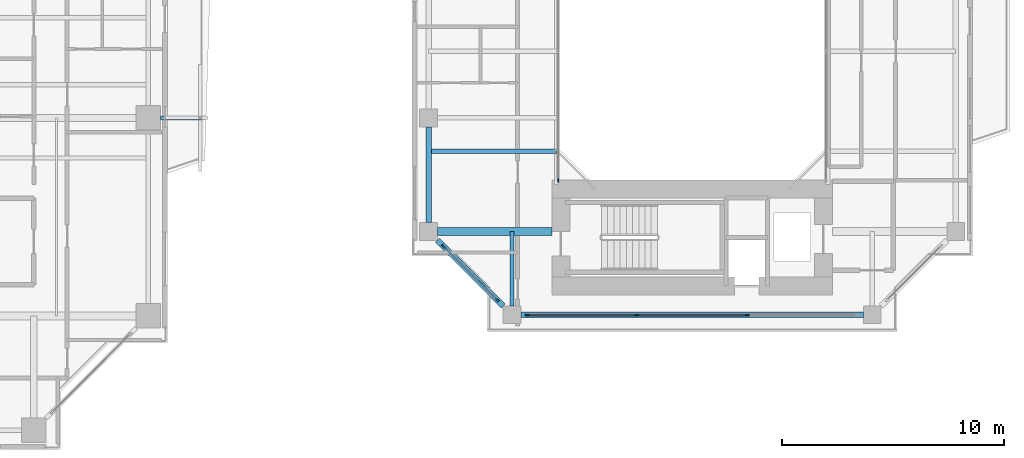
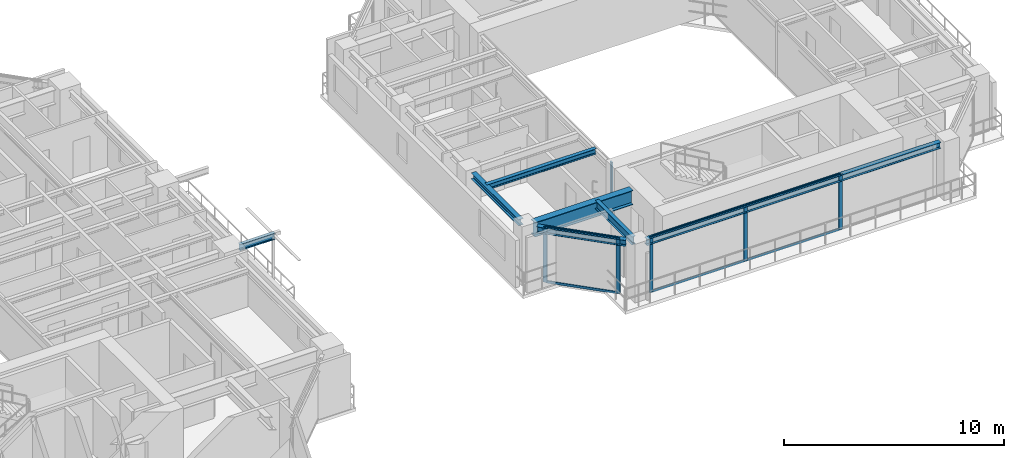
# One storey, part 6 of 23: 12 members, 7 beams, 3 elements without a shape of their own.
"""IFC4 building model written with IfcOpenShell, lengths in metres."""

from ifc_helpers import new_model, si_unit, direction, frame, origin, origin_2d, place, context, subcontext, project, spatial, rectangle, i_section, extrude, source, transform, mapped, material, layer, layer_set, material_profile, profile_set, type_object, element, aggregate, save


model = new_model("IFC4")

# Units and contexts
model_context = context("Model", 3, precision=1e-05, world=origin(), true_north=direction((0.0, 1.0)))
body_context = subcontext(model_context, "Body", "Model", "MODEL_VIEW")
ifc_project = project(units=[si_unit("LENGTHUNIT", "METRE"), si_unit("AREAUNIT", "SQUARE_METRE"), si_unit("VOLUMEUNIT", "CUBIC_METRE"), si_unit("PLANEANGLEUNIT", "RADIAN"), si_unit("MASSUNIT", "GRAM", prefix="KILO"), si_unit("THERMODYNAMICTEMPERATUREUNIT", "KELVIN"), si_unit("POWERUNIT", "WATT")], contexts=[model_context])

# Site, building, storey
site_placement = place(None, origin())
site = spatial("IfcSite", under=ifc_project, at=site_placement, CompositionType="ELEMENT")
building_placement = place(site_placement, origin())
building = spatial("IfcBuilding", under=site, at=building_placement, Name="Qiaomeng Ring Towers", CompositionType="ELEMENT")
storey_placement = place(building_placement, frame((0.0, 0.0, 103.5)))
storey = spatial("IfcBuildingStorey", under=building, at=storey_placement, Name="L29", CompositionType="ELEMENT", Elevation=103.5)

# Beams
ifc_material_1 = material(Name="Steel Q355B", Category="steel")
ifc_material_profile_1 = material_profile(ifc_material_1, i_section(OverallWidth=0.25, OverallDepth=0.340087890625, WebThickness=0.009033203125, FlangeThickness=0.013916015625, FilletRadius=0.02001953125, at=origin_2d()), Name="HM 340x250x9x14")
ifc_profile_set_1 = profile_set([ifc_material_profile_1], Name="Steel Q355B")
beam_type_1 = type_object("IfcBeamType", Name="STR-BM-HM340", PredefinedType="SPANDREL", material=ifc_profile_set_1)
shared_shape_1 = source(origin(), body_context, "Body", "SweptSolid", [
    extrude(i_section(OverallWidth=0.25, OverallDepth=0.340087890625, WebThickness=0.009033203125, FlangeThickness=0.013916015625, FilletRadius=0.02001953125, at=origin_2d()), origin(), (0.0, 0.0, 1.0), 15.40185546875),
])
beam_1_placement = place(storey_placement, frame((52.799072265625, 11.14990234375, 2.89990234375), z_axis=(1.0, 0.0, 0.0), x_axis=(0.0, 1.0, 0.0)))
element("IfcBeam", 1, at=beam_1_placement, inside=storey, type_object=beam_type_1, Name="L29 beam STR-SP-L29-T2-S1-S2", PredefinedType="SPANDREL", context=body_context, shape_type="MappedRepresentation", body=[
    mapped(shared_shape_1, transform((0.0, 0.0, 0.0), x_axis=(1.0, 0.0, 0.0), y_axis=(0.0, 1.0, 0.0), z_axis=(0.0, 0.0, 1.0), scale=1.0)),
])
shared_shape_2 = source(origin(), body_context, "Body", "SweptSolid", [
    extrude(i_section(OverallWidth=0.25, OverallDepth=0.340087890625, WebThickness=0.009033203125, FlangeThickness=0.013916015625, FilletRadius=0.02001953125, at=origin_2d()), origin(), (0.0, 0.0, 1.0), 4.173828125),
])
beam_2_placement = place(storey_placement, frame((49.04931640625, 14.500732421875, 2.89990234375), z_axis=(0.707106781187, -0.707106781187, 0.0), x_axis=(0.707106781187, 0.707106781187, 0.0)))
element("IfcBeam", 2, at=beam_2_placement, inside=storey, type_object=beam_type_1, Name="L29 beam STR-SP-L29-T2-W1-S1", PredefinedType="SPANDREL", context=body_context, shape_type="MappedRepresentation", body=[
    mapped(shared_shape_2, transform((0.0, 0.0, 0.0), x_axis=(1.0, 0.0, 0.0), y_axis=(0.0, 1.0, 0.0), z_axis=(0.0, 0.0, 1.0), scale=1.0)),
])
shared_shape_3 = source(origin(), body_context, "Body", "SweptSolid", [
    extrude(i_section(OverallWidth=0.25, OverallDepth=0.340087890625, WebThickness=0.009033203125, FlangeThickness=0.013916015625, FilletRadius=0.02001953125, at=origin_2d()), origin(), (0.0, 0.0, 1.0), 4.302001953125),
])
beam_3_placement = place(storey_placement, frame((48.64990234375, 19.60107421875, 2.89990234375), z_axis=(0.0, -1.0, 0.0), x_axis=(1.0, 0.0, 0.0)))
element("IfcBeam", 3, at=beam_3_placement, inside=storey, type_object=beam_type_1, Name="L29 beam STR-SP-L29-T2-W2-W1", PredefinedType="SPANDREL", context=body_context, shape_type="MappedRepresentation", body=[
    mapped(shared_shape_3, transform((0.0, 0.0, 0.0), x_axis=(1.0, 0.0, 0.0), y_axis=(0.0, 1.0, 0.0), z_axis=(0.0, 0.0, 1.0), scale=1.0)),
])
ifc_material_2 = material(Name="Steel Q390GJC", Category="steel")
ifc_material_profile_2 = material_profile(ifc_material_2, i_section(OverallWidth=0.35009765625, OverallDepth=0.800048828125, WebThickness=0.01611328125, FlangeThickness=0.028076171875, at=origin_2d()), Name="WH 800x350x16x28")
ifc_profile_set_2 = profile_set([ifc_material_profile_2], Name="Steel Q390GJC")
beam_type_2 = type_object("IfcBeamType", Name="STR-BM-WH800", PredefinedType="BEAM", material=ifc_profile_set_2)
shared_shape_4 = source(origin(), body_context, "Body", "SweptSolid", [
    extrude(i_section(OverallWidth=0.35009765625, OverallDepth=0.800048828125, WebThickness=0.01611328125, FlangeThickness=0.028076171875, at=origin_2d()), origin(), (0.0, 0.0, 1.0), 5.15087890625),
])
beam_4_placement = place(storey_placement, frame((49.049072265625, 14.89990234375, 2.669921875), z_axis=(1.0, 0.0, 0.0), x_axis=(0.0, 1.0, 0.0)))
element("IfcBeam", 4, at=beam_4_placement, inside=storey, type_object=beam_type_2, Name="L29 beam STR-BM-L29-T2-RAD-W1", PredefinedType="BEAM", context=body_context, shape_type="MappedRepresentation", body=[
    mapped(shared_shape_4, transform((0.0, 0.0, 0.0), x_axis=(1.0, 0.0, 0.0), y_axis=(0.0, 1.0, 0.0), z_axis=(0.0, 0.0, 1.0), scale=1.0)),
])
ifc_material_profile_3 = material_profile(ifc_material_1, i_section(OverallWidth=0.199951171875, OverallDepth=0.449951171875, WebThickness=0.009033203125, FlangeThickness=0.013916015625, FilletRadius=0.01806640625, at=origin_2d()), Name="HN 450x200x9x14")
ifc_profile_set_3 = profile_set([ifc_material_profile_3], Name="Steel Q355B")
beam_type_3 = type_object("IfcBeamType", Name="STR-BM-HN450", PredefinedType="SPANDREL", material=ifc_profile_set_3)
shared_shape_5 = source(origin(), body_context, "Body", "SweptSolid", [
    extrude(i_section(OverallWidth=0.199951171875, OverallDepth=0.449951171875, WebThickness=0.009033203125, FlangeThickness=0.013916015625, FilletRadius=0.01806640625, at=origin_2d()), origin(), (0.0, 0.0, 1.0), 3.350830078125),
])
beam_5_placement = place(storey_placement, frame((52.39990234375, 11.549072265625, 2.844970703125), z_axis=(0.0, 1.0, 0.0), x_axis=(-1.0, 0.0, 0.0)))
element("IfcBeam", 5, at=beam_5_placement, inside=storey, type_object=beam_type_3, Name="L29 beam STR-BM-L29-T2-RAD-S1", PredefinedType="SPANDREL", context=body_context, shape_type="MappedRepresentation", body=[
    mapped(shared_shape_5, transform((0.0, 0.0, 0.0), x_axis=(1.0, 0.0, 0.0), y_axis=(0.0, 1.0, 0.0), z_axis=(0.0, 0.0, 1.0), scale=1.0)),
])
ifc_material_profile_4 = material_profile(ifc_material_1, i_section(OverallWidth=0.199951171875, OverallDepth=0.2939453125, WebThickness=0.008056640625, FlangeThickness=0.011962890625, FilletRadius=0.01806640625, at=origin_2d()), Name="HM 294x200x8x12")
ifc_profile_set_4 = profile_set([ifc_material_profile_4], Name="Steel Q355B")
beam_type_4 = type_object("IfcBeamType", Name="STR-BM-HM294", PredefinedType="JOIST", material=ifc_profile_set_4)
shared_shape_6 = source(origin(), body_context, "Body", "SweptSolid", [
    extrude(i_section(OverallWidth=0.199951171875, OverallDepth=0.2939453125, WebThickness=0.008056640625, FlangeThickness=0.011962890625, FilletRadius=0.01806640625, at=origin_2d()), origin(), (0.0, 0.0, 1.0), 5.75),
])
beam_6_placement = place(storey_placement, frame((48.64990234375, 18.5, 2.923095703125), z_axis=(1.0, 0.0, 0.0), x_axis=(0.0, 1.0, 0.0)))
element("IfcBeam", 6, at=beam_6_placement, inside=storey, type_object=beam_type_4, Name="L29 beam STR-JST-L29-T2W-1", PredefinedType="JOIST", context=body_context, shape_type="MappedRepresentation", body=[
    mapped(shared_shape_6, transform((0.0, 0.0, 0.0), x_axis=(1.0, 0.0, 0.0), y_axis=(0.0, 1.0, 0.0), z_axis=(0.0, 0.0, 1.0), scale=1.0)),
])
ifc_material_profile_5 = material_profile(ifc_material_1, i_section(OverallWidth=0.175048828125, OverallDepth=0.35009765625, WebThickness=0.007080078125, FlangeThickness=0.010986328125, FilletRadius=0.013916015625, at=origin_2d()), Name="HN 350x175x7x11")
ifc_profile_set_5 = profile_set([ifc_material_profile_5], Name="Steel Q355B")
beam_type_5 = type_object("IfcBeamType", Name="STR-BM-HN350", PredefinedType="JOIST", material=ifc_profile_set_5)
shared_shape_7 = source(origin(), body_context, "Body", "SweptSolid", [
    extrude(i_section(OverallWidth=0.175048828125, OverallDepth=0.35009765625, WebThickness=0.007080078125, FlangeThickness=0.010986328125, FilletRadius=0.013916015625, at=origin_2d()), origin(), (0.0, 0.0, 1.0), 1.8408203125),
])
beam_7_placement = place(storey_placement, frame((36.59912109375, 20.0, 2.89501953125), z_axis=(1.0, 0.0, 0.0), x_axis=(0.0, 1.0, 0.0)))
element("IfcBeam", 7, at=beam_7_placement, inside=storey, type_object=beam_type_5, Name="L29 beam STR-BALBM-L29-E2", PredefinedType="JOIST", context=body_context, shape_type="MappedRepresentation", body=[
    mapped(shared_shape_7, transform((0.0, 0.0, 0.0), x_axis=(1.0, 0.0, 0.0), y_axis=(0.0, 1.0, 0.0), z_axis=(0.0, 0.0, 1.0), scale=1.0)),
])

# Curtain wall, member
ifc_material_3 = material(Name="Fluorocarbon dark-grey aluminium", Category="aluminium")
ifc_layer_1 = layer(ifc_material_3, 0.139892578125, Name="Fluorocarbon dark-grey aluminium")
ifc_layer_set_1 = layer_set([ifc_layer_1], Name="Fluorocarbon dark-grey aluminium")
curtain_wall_type_1 = type_object("IfcCurtainWallType", Name="ARC-CW-4", PredefinedType="NOTDEFINED", material=ifc_layer_set_1)
curtain_wall_1_placement = place(storey_placement, origin())
curtain_wall_1 = element("IfcCurtainWall", 8, at=curtain_wall_1_placement, inside=storey, type_object=curtain_wall_type_1, Name="L29 Curtain Wall CW4", PredefinedType="NOTDEFINED")
ifc_material_profile_6 = material_profile(ifc_material_3, rectangle(XDim=0.06494140625, YDim=0.159912109375, at=origin_2d()), Name="ALU MULL 65x160")
ifc_profile_set_6 = profile_set([ifc_material_profile_6], Name="Fluorocarbon dark-grey aluminium")
member_type_1 = type_object("IfcMemberType", Name="ARC-CWM-140", PredefinedType="MULLION", material=ifc_profile_set_6)
shared_shape_8 = source(origin(), body_context, "Body", "SweptSolid", [
    extrude(rectangle(XDim=0.06494140625, YDim=0.159912109375, at=origin_2d()), origin(), (0.0, 0.0, 1.0), 3.070068359375),
])
member_1_placement = place(storey_placement, frame((54.47998046875, 17.1826171875, 0.0), z_axis=(0.0, 0.0, 1.0), x_axis=(-1.0, 0.0, 0.0)))
member_1 = element("IfcMember", 9, at=member_1_placement, type_object=member_type_1, Name="CW4 mullion 1", PredefinedType="MULLION", context=body_context, shape_type="MappedRepresentation", body=[
    mapped(shared_shape_8, transform((0.0, 0.0, 0.0), x_axis=(1.0, 0.0, 0.0), y_axis=(0.0, 1.0, 0.0), z_axis=(0.0, 0.0, 1.0), scale=1.0)),
])
aggregate(curtain_wall_1, [member_1])

# Curtain wall, members
ifc_layer_2 = layer(ifc_material_3, 0.14990234375, Name="Fluorocarbon dark-grey aluminium")
ifc_layer_set_2 = layer_set([ifc_layer_2], Name="Fluorocarbon dark-grey aluminium")
curtain_wall_type_2 = type_object("IfcCurtainWallType", Name="ARC-CW-5", PredefinedType="NOTDEFINED", material=ifc_layer_set_2)
curtain_wall_2_placement = place(storey_placement, origin())
curtain_wall_2 = element("IfcCurtainWall", 10, at=curtain_wall_2_placement, inside=storey, type_object=curtain_wall_type_2, Name="L29 Curtain Wall CW5", PredefinedType="NOTDEFINED")
ifc_material_profile_7 = material_profile(ifc_material_3, rectangle(XDim=0.070068359375, YDim=0.179931640625, at=origin_2d()), Name="ALU MULL 70x180")
ifc_profile_set_7 = profile_set([ifc_material_profile_7], Name="Fluorocarbon dark-grey aluminium")
member_type_2 = type_object("IfcMemberType", Name="ARC-CWM-160", PredefinedType="MULLION", material=ifc_profile_set_7)
shared_shape_9 = source(origin(), body_context, "Body", "SweptSolid", [
    extrude(rectangle(XDim=0.070068359375, YDim=0.179931640625, at=origin_2d()), origin(), (0.0, 0.0, 1.0), 3.070068359375),
])
member_2_placement = place(storey_placement, frame((49.314697265625, 14.2353515625, 0.0), z_axis=(0.0, 0.0, 1.0), x_axis=(0.707106781187, 0.707106781187, 0.0)))
member_2 = element("IfcMember", 11, at=member_2_placement, type_object=member_type_2, Name="CW5 mullion 1", PredefinedType="MULLION", context=body_context, shape_type="MappedRepresentation", body=[
    mapped(shared_shape_9, transform((0.0, 0.0, 0.0), x_axis=(1.0, 0.0, 0.0), y_axis=(0.0, 1.0, 0.0), z_axis=(0.0, 0.0, 1.0), scale=1.0)),
])
member_3_placement = place(storey_placement, frame((51.7353515625, 11.814697265625, 0.0), z_axis=(0.0, 0.0, 1.0), x_axis=(0.707106781187, 0.707106781187, 0.0)))
member_3 = element("IfcMember", 12, at=member_3_placement, type_object=member_type_2, Name="CW5 mullion 2", PredefinedType="MULLION", context=body_context, shape_type="MappedRepresentation", body=[
    mapped(shared_shape_9, transform((0.0, 0.0, 0.0), x_axis=(1.0, 0.0, 0.0), y_axis=(0.0, 1.0, 0.0), z_axis=(0.0, 0.0, 1.0), scale=1.0)),
])

curtain_wall_3_placement = place(storey_placement, origin())
curtain_wall_3 = element("IfcCurtainWall", 13, at=curtain_wall_3_placement, inside=storey, type_object=curtain_wall_type_2, Name="L29 Curtain Wall CW5", PredefinedType="NOTDEFINED")
member_4_placement = place(storey_placement, frame((53.074951171875, 11.14990234375, 0.0), z_axis=(0.0, 0.0, 1.0), x_axis=(0.0, 1.0, 0.0)))
member_4 = element("IfcMember", 14, at=member_4_placement, type_object=member_type_2, Name="CW5 mullion 1", PredefinedType="MULLION", context=body_context, shape_type="MappedRepresentation", body=[
    mapped(shared_shape_9, transform((0.0, 0.0, 0.0), x_axis=(1.0, 0.0, 0.0), y_axis=(0.0, 1.0, 0.0), z_axis=(0.0, 0.0, 1.0), scale=1.0)),
])
member_5_placement = place(storey_placement, frame((58.013427734375, 11.14990234375, 0.0), z_axis=(0.0, 0.0, 1.0), x_axis=(0.0, 1.0, 0.0)))
member_5 = element("IfcMember", 15, at=member_5_placement, type_object=member_type_2, Name="CW5 mullion 2", PredefinedType="MULLION", context=body_context, shape_type="MappedRepresentation", body=[
    mapped(shared_shape_9, transform((0.0, 0.0, 0.0), x_axis=(1.0, 0.0, 0.0), y_axis=(0.0, 1.0, 0.0), z_axis=(0.0, 0.0, 1.0), scale=1.0)),
])
member_6_placement = place(storey_placement, frame((62.986572265625, 11.14990234375, 0.0), z_axis=(0.0, 0.0, 1.0), x_axis=(0.0, 1.0, 0.0)))
member_6 = element("IfcMember", 16, at=member_6_placement, type_object=member_type_2, Name="CW5 mullion 3", PredefinedType="MULLION", context=body_context, shape_type="MappedRepresentation", body=[
    mapped(shared_shape_9, transform((0.0, 0.0, 0.0), x_axis=(1.0, 0.0, 0.0), y_axis=(0.0, 1.0, 0.0), z_axis=(0.0, 0.0, 1.0), scale=1.0)),
])
ifc_material_profile_8 = material_profile(ifc_material_3, rectangle(XDim=0.06494140625, YDim=0.1298828125, at=origin_2d()), Name="ALU TRAN 65x130")
ifc_profile_set_8 = profile_set([ifc_material_profile_8], Name="Fluorocarbon dark-grey aluminium")
member_type_3 = type_object("IfcMemberType", Name="ARC-CWT-120", PredefinedType="USERDEFINED", material=ifc_profile_set_8)
shared_shape_10 = source(origin(), body_context, "Body", "SweptSolid", [
    extrude(rectangle(XDim=0.06494140625, YDim=0.1298828125, at=origin_2d()), origin(), (0.0, 0.0, 1.0), 4.8681640625),
])
member_7_placement = place(storey_placement, frame((53.110107421875, 11.14990234375, 0.032470703125), z_axis=(1.0, 0.0, 0.0), x_axis=(0.0, 1.0, 0.0)))
member_7 = element("IfcMember", 17, at=member_7_placement, type_object=member_type_3, Name="CW5 transom 1.1", ObjectType="TRANSOM", PredefinedType="USERDEFINED", context=body_context, shape_type="MappedRepresentation", body=[
    mapped(shared_shape_10, transform((0.0, 0.0, 0.0), x_axis=(1.0, 0.0, 0.0), y_axis=(0.0, 1.0, 0.0), z_axis=(0.0, 0.0, 1.0), scale=1.0)),
])
member_8_placement = place(storey_placement, frame((53.110107421875, 11.14990234375, 3.03759765625), z_axis=(1.0, 0.0, 0.0), x_axis=(0.0, 1.0, 0.0)))
member_8 = element("IfcMember", 18, at=member_8_placement, type_object=member_type_3, Name="CW5 transom 1.2", ObjectType="TRANSOM", PredefinedType="USERDEFINED", context=body_context, shape_type="MappedRepresentation", body=[
    mapped(shared_shape_10, transform((0.0, 0.0, 0.0), x_axis=(1.0, 0.0, 0.0), y_axis=(0.0, 1.0, 0.0), z_axis=(0.0, 0.0, 1.0), scale=1.0)),
])
shared_shape_11 = source(origin(), body_context, "Body", "SweptSolid", [
    extrude(rectangle(XDim=0.06494140625, YDim=0.1298828125, at=origin_2d()), origin(), (0.0, 0.0, 1.0), 4.9033203125),
])
member_9_placement = place(storey_placement, frame((58.04833984375, 11.14990234375, 0.032470703125), z_axis=(1.0, 0.0, 0.0), x_axis=(0.0, 1.0, 0.0)))
member_9 = element("IfcMember", 19, at=member_9_placement, type_object=member_type_3, Name="CW5 transom 2.1", ObjectType="TRANSOM", PredefinedType="USERDEFINED", context=body_context, shape_type="MappedRepresentation", body=[
    mapped(shared_shape_11, transform((0.0, 0.0, 0.0), x_axis=(1.0, 0.0, 0.0), y_axis=(0.0, 1.0, 0.0), z_axis=(0.0, 0.0, 1.0), scale=1.0)),
])
member_10_placement = place(storey_placement, frame((58.04833984375, 11.14990234375, 3.03759765625), z_axis=(1.0, 0.0, 0.0), x_axis=(0.0, 1.0, 0.0)))
member_10 = element("IfcMember", 20, at=member_10_placement, type_object=member_type_3, Name="CW5 transom 2.2", ObjectType="TRANSOM", PredefinedType="USERDEFINED", context=body_context, shape_type="MappedRepresentation", body=[
    mapped(shared_shape_11, transform((0.0, 0.0, 0.0), x_axis=(1.0, 0.0, 0.0), y_axis=(0.0, 1.0, 0.0), z_axis=(0.0, 0.0, 1.0), scale=1.0)),
])
aggregate(curtain_wall_3, [member_4, member_5, member_6, member_7, member_8, member_9, member_10])

# Member
shared_shape_12 = source(origin(), body_context, "Body", "SweptSolid", [
    extrude(rectangle(XDim=0.06494140625, YDim=0.1298828125, at=origin_2d()), origin(), (0.0, 0.0, 1.0), 3.352783203125),
])
member_11_placement = place(storey_placement, frame((49.339599609375, 14.21044921875, 0.032470703125), z_axis=(0.707106781187, -0.707106781187, 0.0), x_axis=(0.707106781187, 0.707106781187, 0.0)))
member_11 = element("IfcMember", 21, at=member_11_placement, type_object=member_type_3, Name="CW5 transom 1.1", ObjectType="TRANSOM", PredefinedType="USERDEFINED", context=body_context, shape_type="MappedRepresentation", body=[
    mapped(shared_shape_12, transform((0.0, 0.0, 0.0), x_axis=(1.0, 0.0, 0.0), y_axis=(0.0, 1.0, 0.0), z_axis=(0.0, 0.0, 1.0), scale=1.0)),
])

member_12_placement = place(storey_placement, frame((49.339599609375, 14.21044921875, 3.03759765625), z_axis=(0.707106781187, -0.707106781187, 0.0), x_axis=(0.707106781187, 0.707106781187, 0.0)))
member_12 = element("IfcMember", 22, at=member_12_placement, type_object=member_type_3, Name="CW5 transom 1.2", ObjectType="TRANSOM", PredefinedType="USERDEFINED", context=body_context, shape_type="MappedRepresentation", body=[
    mapped(shared_shape_12, transform((0.0, 0.0, 0.0), x_axis=(1.0, 0.0, 0.0), y_axis=(0.0, 1.0, 0.0), z_axis=(0.0, 0.0, 1.0), scale=1.0)),
])

aggregate(curtain_wall_2, [member_2, member_3, member_11, member_12])

save(model, "model.ifc")
